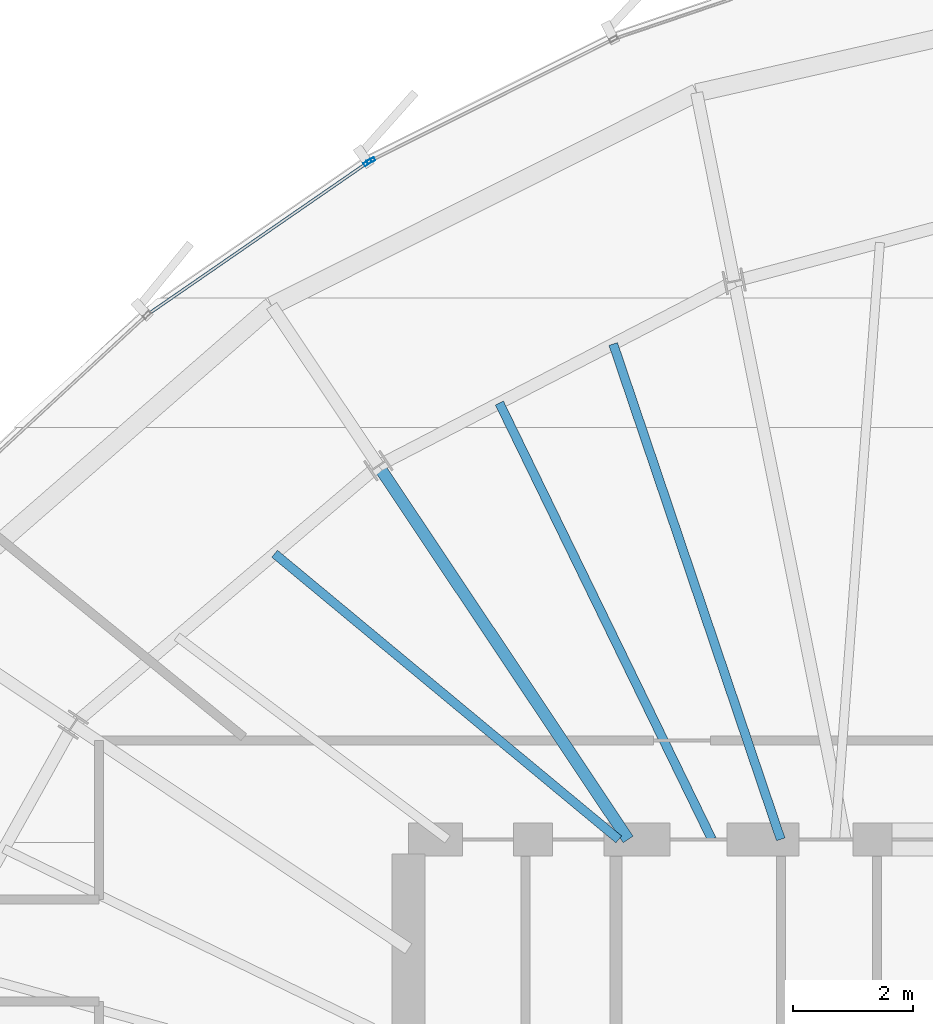
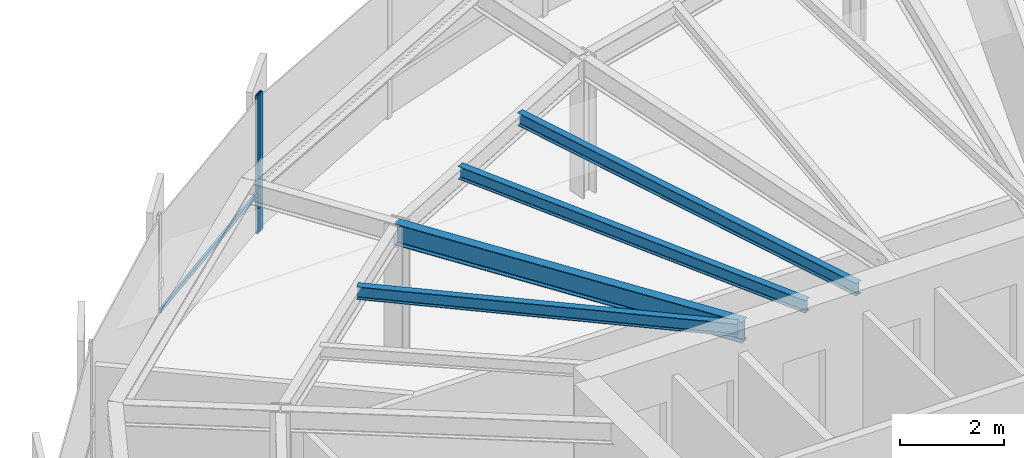
# One storey, part 21 of 34: 4 beams, 3 members, 2 elements without a shape of their own.
"""IFC4 building model written with IfcOpenShell, lengths in metres."""

from ifc_helpers import new_model, si_unit, direction, frame, origin, origin_2d, place, context, subcontext, project, spatial, hollow_rectangle, i_section, extrude, source, transform, mapped, material, layer, layer_set, material_profile, profile_set, type_object, element, aggregate, save


model = new_model("IFC4")

# Units and contexts
model_context = context("Model", 3, precision=1e-05, world=origin(), true_north=direction((0.0, 1.0)))
body_context = subcontext(model_context, "Body", "Model", "MODEL_VIEW")
ifc_project = project(units=[si_unit("LENGTHUNIT", "METRE"), si_unit("AREAUNIT", "SQUARE_METRE"), si_unit("VOLUMEUNIT", "CUBIC_METRE"), si_unit("PLANEANGLEUNIT", "RADIAN"), si_unit("MASSUNIT", "GRAM", prefix="KILO"), si_unit("THERMODYNAMICTEMPERATUREUNIT", "KELVIN")], contexts=[model_context])

# Site, building, storey
site_placement = place(None, origin())
site = spatial("IfcSite", under=ifc_project, at=site_placement, CompositionType="ELEMENT")
building_placement = place(site_placement, origin())
building = spatial("IfcBuilding", under=site, at=building_placement, Name="Kethvar Cultural Tower", CompositionType="ELEMENT")
storey_placement = place(building_placement, frame((0.0, 0.0, 190.39990234375)))
storey = spatial("IfcBuildingStorey", under=building, at=storey_placement, Name="L49", CompositionType="ELEMENT", Elevation=190.39990234375)

# Beams
ifc_material_1 = material(Name="Steel S355J2", Category="steel")
ifc_material_profile_1 = material_profile(ifc_material_1, i_section(OverallWidth=0.199951171875, OverallDepth=0.5, WebThickness=0.01025390625, FlangeThickness=0.01611328125, FilletRadius=0.02099609375, at=origin_2d()), Name="Steel S355J2 — IPE500")
ifc_profile_set_1 = profile_set([ifc_material_profile_1], Name="Steel S355J2 — IPE500")
beam_type_1 = type_object("IfcBeamType", Name="BM-IPE500", PredefinedType="BEAM", material=ifc_profile_set_1)
shared_shape_1 = source(origin(), body_context, "Body", "SweptSolid", [
    extrude(i_section(OverallWidth=0.199951171875, OverallDepth=0.5, WebThickness=0.01025390625, FlangeThickness=0.01611328125, FilletRadius=0.02099609375, at=origin_2d()), origin(), (0.0, 0.0, 1.0), 7.481201171875),
])
beam_1_placement = place(storey_placement, frame((41.655029296875, 35.5, 3.008056640625), z_axis=(-0.55555842186, 0.831477504146, 0.0), x_axis=(-0.831477504146, -0.55555842186, 0.0)))
element("IfcBeam", 1, at=beam_1_placement, inside=storey, type_object=beam_type_1, Name="L49 Primary Radial Beam RB-06", PredefinedType="BEAM", context=body_context, shape_type="MappedRepresentation", body=[
    mapped(shared_shape_1, transform((0.0, 0.0, 0.0), scale=1.0)),
])
ifc_material_profile_2 = material_profile(ifc_material_1, i_section(OverallWidth=0.14990234375, OverallDepth=0.300048828125, WebThickness=0.007080078125, FlangeThickness=0.0107421875, FilletRadius=0.014892578125, at=origin_2d()), Name="Steel S355J2 — IPE300")
ifc_profile_set_2 = profile_set([ifc_material_profile_2], Name="Steel S355J2 — IPE300")
beam_type_2 = type_object("IfcBeamType", Name="BM-J300", PredefinedType="JOIST", material=ifc_profile_set_2)
shared_shape_2 = source(origin(), body_context, "Body", "SweptSolid", [
    extrude(i_section(OverallWidth=0.14990234375, OverallDepth=0.300048828125, WebThickness=0.007080078125, FlangeThickness=0.0107421875, FilletRadius=0.014892578125, at=origin_2d()), origin(), (0.0, 0.0, 1.0), 8.70458984375),
])
beam_2_placement = place(storey_placement, frame((44.19580078125, 35.5, 3.108154296875), z_axis=(-0.320356133074, 0.947297180404, 0.0), x_axis=(-0.947297180404, -0.320356133074, 0.0)))
element("IfcBeam", 2, at=beam_2_placement, inside=storey, type_object=beam_type_2, Name="L49 Composite Floor Joist J-05A", PredefinedType="JOIST", context=body_context, shape_type="MappedRepresentation", body=[
    mapped(shared_shape_2, transform((0.0, 0.0, 0.0), scale=1.0)),
])
shared_shape_3 = source(origin(), body_context, "Body", "SweptSolid", [
    extrude(i_section(OverallWidth=0.14990234375, OverallDepth=0.300048828125, WebThickness=0.007080078125, FlangeThickness=0.0107421875, FilletRadius=0.014892578125, at=origin_2d()), origin(), (0.0, 0.0, 1.0), 8.07958984375),
])
beam_3_placement = place(storey_placement, frame((43.0498046875, 35.5, 3.108154296875), z_axis=(-0.437846062021, 0.89904995744, 0.0), x_axis=(-0.89904995744, -0.437846062021, 0.0)))
element("IfcBeam", 3, at=beam_3_placement, inside=storey, type_object=beam_type_2, Name="L49 Composite Floor Joist J-05B", PredefinedType="JOIST", context=body_context, shape_type="MappedRepresentation", body=[
    mapped(shared_shape_3, transform((0.0, 0.0, 0.0), scale=1.0)),
])
shared_shape_4 = source(origin(), body_context, "Body", "SweptSolid", [
    extrude(i_section(OverallWidth=0.14990234375, OverallDepth=0.300048828125, WebThickness=0.007080078125, FlangeThickness=0.0107421875, FilletRadius=0.014892578125, at=origin_2d()), origin(), (0.0, 0.0, 1.0), 7.444580078125),
])
beam_4_placement = place(storey_placement, frame((41.5, 35.5, 3.108154296875), z_axis=(-0.769483166858, 0.638667093188, 0.0), x_axis=(-0.638667093188, -0.769483166858, 0.0)))
element("IfcBeam", 4, at=beam_4_placement, inside=storey, type_object=beam_type_2, Name="L49 Composite Floor Joist J-06A", PredefinedType="JOIST", context=body_context, shape_type="MappedRepresentation", body=[
    mapped(shared_shape_4, transform((0.0, 0.0, 0.0), scale=1.0)),
])

# Curtain wall, member
ifc_material_2 = material(Name="Aluminium 6063-T6", Category="aluminium")
ifc_layer = layer(ifc_material_2, 0.179931640625, Name="Aluminium 6063-T6", Category="aluminium")
ifc_layer_set = layer_set([ifc_layer], Name="Aluminium 6063-T6 (180 mm)")
curtain_wall_type = type_object("IfcCurtainWallType", Name="CW-SYS-04-Z34", PredefinedType="NOTDEFINED", material=ifc_layer_set)
curtain_wall_1_placement = place(storey_placement, origin())
curtain_wall_1 = element("IfcCurtainWall", 5, at=curtain_wall_1_placement, inside=storey, type_object=curtain_wall_type, Name="L49 Curtain Wall Run 03", PredefinedType="NOTDEFINED")
ifc_material_profile_3 = material_profile(ifc_material_2, hollow_rectangle(XDim=0.050048828125, YDim=0.10009765625, WallThickness=0.00390625, at=origin_2d()), Name="Aluminium 6063-T6 — RHS100x50x4")
ifc_profile_set_3 = profile_set([ifc_material_profile_3], Name="Aluminium 6063-T6 — RHS100x50x4")
member_type_1 = type_object("IfcMemberType", Name="CW-SYS-04-Z34-TRN", PredefinedType="USERDEFINED", material=ifc_profile_set_3)
shared_shape_5 = source(origin(), body_context, "Body", "SweptSolid", [
    extrude(hollow_rectangle(XDim=0.050048828125, YDim=0.10009765625, WallThickness=0.00390625, at=origin_2d()), origin(), (0.0, 0.0, 1.0), 4.431640625),
])
member_1_placement = place(storey_placement, frame((37.31640625, 46.763916015625, 0.9501953125), z_axis=(-0.822931242982, -0.568140976628, 0.0), x_axis=(0.568140976628, -0.822931242982, 0.0)))
member_1 = element("IfcMember", 6, at=member_1_placement, type_object=member_type_1, Name="CW-L49-R03 Transom 1", ObjectType="TRANSOM", PredefinedType="USERDEFINED", context=body_context, shape_type="MappedRepresentation", body=[
    mapped(shared_shape_5, transform((0.0, 0.0, 0.0), scale=1.0)),
])

curtain_wall_2_placement = place(storey_placement, origin())
curtain_wall_2 = element("IfcCurtainWall", 7, at=curtain_wall_2_placement, inside=storey, type_object=curtain_wall_type, Name="L49 Curtain Wall Run 02", PredefinedType="NOTDEFINED")
ifc_material_profile_4 = material_profile(ifc_material_2, hollow_rectangle(XDim=0.06005859375, YDim=0.139892578125, WallThickness=0.0048828125, at=origin_2d()), Name="Aluminium 6063-T6 — RHS140x60x5")
ifc_profile_set_4 = profile_set([ifc_material_profile_4], Name="Aluminium 6063-T6 — RHS140x60x5")
member_type_2 = type_object("IfcMemberType", Name="CW-SYS-04-Z34-MUL", PredefinedType="MULLION", material=ifc_profile_set_4)
shared_shape_6 = source(origin(), body_context, "Body", "SweptSolid", [
    extrude(hollow_rectangle(XDim=0.06005859375, YDim=0.139892578125, WallThickness=0.0048828125, at=origin_2d()), origin(), (0.0, 0.0, 1.0), 3.260009765625),
])
member_2_placement = place(storey_placement, frame((37.373779296875, 46.798095703125, 0.0), z_axis=(0.0, 0.0, 1.0), x_axis=(0.447946349242, -0.894060438785, 0.0)))
member_2 = element("IfcMember", 8, at=member_2_placement, type_object=member_type_2, Name="CW-L49-R02 Mullion 7", PredefinedType="MULLION", context=body_context, shape_type="MappedRepresentation", body=[
    mapped(shared_shape_6, transform((0.0, 0.0, 0.0), scale=1.0)),
])
aggregate(curtain_wall_2, [member_2])

# Member
member_3_placement = place(storey_placement, frame((37.320068359375, 46.766357421875, 0.0), z_axis=(0.0, 0.0, 1.0), x_axis=(0.568145402142, -0.822928187648, 0.0)))
member_3 = element("IfcMember", 9, at=member_3_placement, type_object=member_type_2, Name="CW-L49-R03 Mullion 1", PredefinedType="MULLION", context=body_context, shape_type="MappedRepresentation", body=[
    mapped(shared_shape_6, transform((0.0, 0.0, 0.0), scale=1.0)),
])

aggregate(curtain_wall_1, [member_3, member_1])

save(model, "model.ifc")
